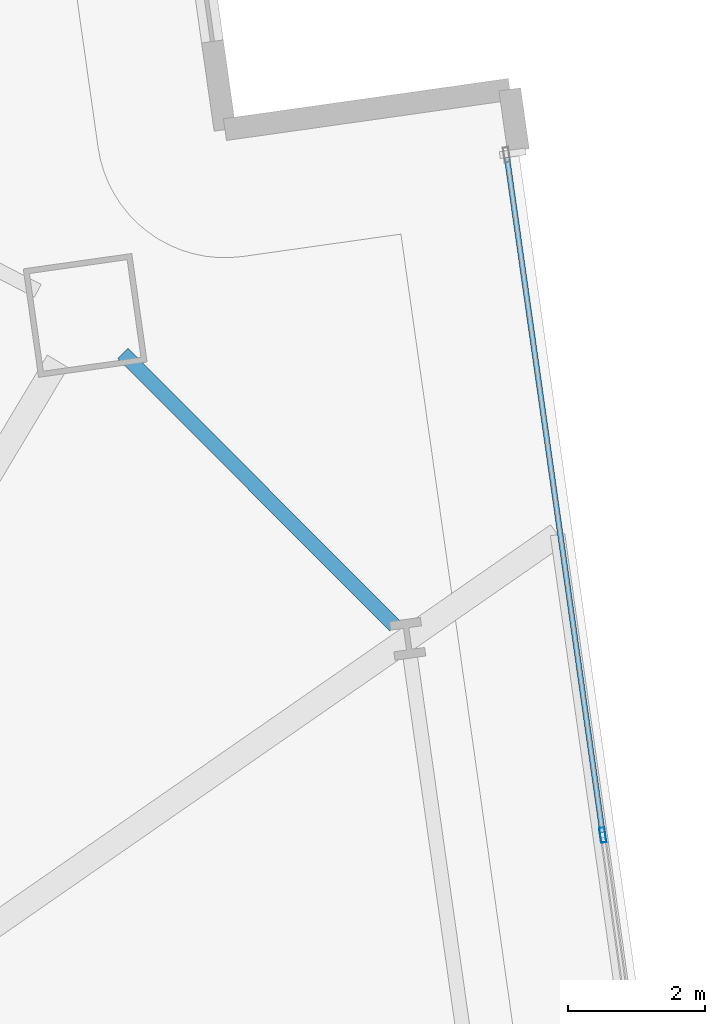
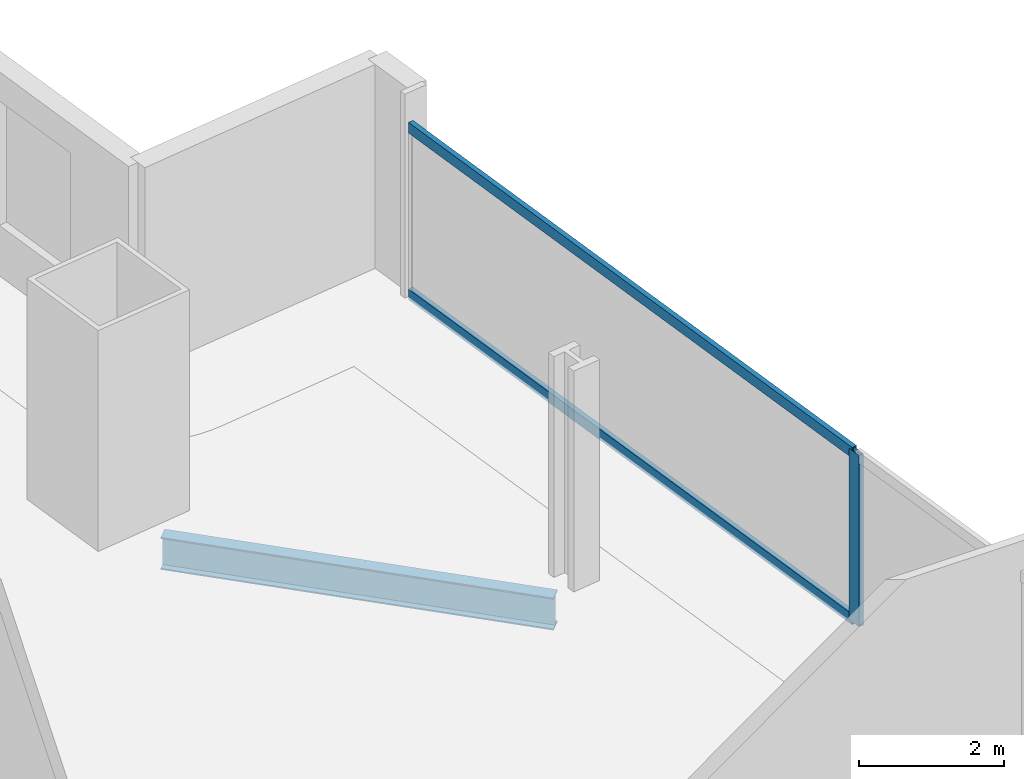
# One storey, part 21 of 33: 3 members, 1 beam, 1 element without a shape of its own.
"""IFC4 building model written with IfcOpenShell, lengths in metres."""

import ifcopenshell
import ifcopenshell.guid

model = None  # the IFC model being written
_history = None  # IfcOwnerHistory: only IFC2X3 demands one
_inside = {}  # id of a spatial element -> (the spatial element, [elements in it])
_under = {}  # id of a project, library or spatial element -> (it, [spatial elements below it])
_declared = {}  # id of a project -> (the project, [libraries it declares])
_typed = {}  # id of a type object -> (the type object, [elements of that type])
_made_of = {}  # id of a material, layer set ... -> (it, [elements and type objects made of it])


def new_model(schema):
    """Start an empty IFC model of exactly this schema.

    Asked for "IFC4X3", IfcOpenShell would pick the latest addendum, in which some entities
    have other attributes; the version numbers below select the first issue.
    IFC2X3 requires an IfcOwnerHistory on every rooted entity: one is made here for all.
    """
    global model, _history
    if schema == "IFC4X3":
        model = ifcopenshell.file(schema_version=(4, 3, 0, 0))
    else:
        model = ifcopenshell.file(schema=schema)
    _inside.clear()
    _under.clear()
    _declared.clear()
    _typed.clear()
    _made_of.clear()
    _history = None
    if model.schema == "IFC2X3":
        org = make("IfcOrganization", Name="unknown")
        user = make(
            "IfcPersonAndOrganization",
            ThePerson=make("IfcPerson", FamilyName="unknown"),
            TheOrganization=org,
        )
        app = make(
            "IfcApplication",
            ApplicationDeveloper=org,
            Version="unknown",
            ApplicationFullName="unknown",
            ApplicationIdentifier="unknown",
        )
        _history = make(
            "IfcOwnerHistory",
            OwningUser=user,
            OwningApplication=app,
            ChangeAction="ADDED",
            CreationDate=0,
        )
    return model


def make(cls, **values):
    """One entity of the class cls with the attributes given. An attribute that is None is left unset."""
    return model.create_entity(
        cls, **{name: value for name, value in values.items() if value is not None}
    )


def rooted(cls, **values):
    """An entity with a GlobalId (a new one), such as an element, a storey or a relation."""
    return make(cls, GlobalId=ifcopenshell.guid.new(), OwnerHistory=_history, **values)


def si_unit(unit_type, name, prefix=None):
    """IfcSIUnit, for example si_unit("LENGTHUNIT", "METRE", prefix="MILLI")."""
    return make("IfcSIUnit", UnitType=unit_type, Prefix=prefix, Name=name)


def assignment(units):
    """IfcUnitAssignment: the units of a project."""
    return None if units is None else make("IfcUnitAssignment", Units=units)


def point(xyz):
    """IfcCartesianPoint."""
    return None if xyz is None else make("IfcCartesianPoint", Coordinates=xyz)


def direction(xyz):
    """IfcDirection."""
    return None if xyz is None else make("IfcDirection", DirectionRatios=xyz)


def frame(location, z_axis=None, x_axis=None):
    """IfcAxis2Placement3D, a coordinate frame: its origin and axes. An axis left out is left unset."""
    return make(
        "IfcAxis2Placement3D",
        Location=point(location),
        Axis=direction(z_axis),
        RefDirection=direction(x_axis),
    )


def frame_2d(location, x_axis=None):
    """IfcAxis2Placement2D, a coordinate frame in the plane: its origin and x axis."""
    return make(
        "IfcAxis2Placement2D", Location=point(location), RefDirection=direction(x_axis)
    )


def origin():
    """The frame at (0, 0, 0) with its axes left unset."""
    return frame((0.0, 0.0, 0.0))


def origin_2d():
    """The frame at (0, 0) in the plane with its x axis left unset."""
    return frame_2d((0.0, 0.0))


def place(relative_to, where):
    """IfcLocalPlacement: puts the frame where relative to a parent placement (None: the world)."""
    return make(
        "IfcLocalPlacement", PlacementRelTo=relative_to, RelativePlacement=where
    )


def context(
    kind, dimensions, precision=None, world=None, true_north=None, identifier=None
):
    """IfcGeometricRepresentationContext, for example the 3D "Model" context."""
    return make(
        "IfcGeometricRepresentationContext",
        ContextIdentifier=identifier,
        ContextType=kind,
        CoordinateSpaceDimension=dimensions,
        Precision=precision,
        WorldCoordinateSystem=world,
        TrueNorth=true_north,
    )


def subcontext(parent, identifier, kind, view, scale=None):
    """IfcGeometricRepresentationSubContext, for example "Body" below "Model"."""
    return make(
        "IfcGeometricRepresentationSubContext",
        ContextIdentifier=identifier,
        ContextType=kind,
        ParentContext=parent,
        TargetScale=scale,
        TargetView=view,
    )


def project(units=None, contexts=None):
    """IfcProject with its units and contexts."""
    return rooted(
        "IfcProject",
        Name="project",
        RepresentationContexts=contexts,
        UnitsInContext=assignment(units),
    )


def spatial(cls, under=None, at=None, **own):
    """A site, building, storey or space (cls), placed at a placement, below another one or the project."""
    s = rooted(cls, ObjectPlacement=at, **own)
    if under is not None:
        _under.setdefault(under.id(), (under, []))[1].append(s)
    return s


def profile(cls, at=None, kind="AREA", **sizes):
    """A parametric profile (cls). Its sizes go by their IFC names, for example OverallWidth=200.0."""
    return make(cls, ProfileType=kind, Position=at, **sizes)


def hollow_rectangle(**sizes):
    """IfcRectangleHollowProfileDef."""
    return profile("IfcRectangleHollowProfileDef", **sizes)


def i_section(**sizes):
    """IfcIShapeProfileDef."""
    return profile("IfcIShapeProfileDef", **sizes)


def extrude(swept, where, along, depth):
    """IfcExtrudedAreaSolid: the profile swept, set in the frame where, extruded along a direction by depth."""
    return make(
        "IfcExtrudedAreaSolid",
        SweptArea=swept,
        Position=where,
        ExtrudedDirection=direction(along),
        Depth=depth,
    )


def shape(context_of_items, identifier, shape_type, items):
    """IfcShapeRepresentation: the items that make up one representation, for example the "Body"."""
    return make(
        "IfcShapeRepresentation",
        ContextOfItems=context_of_items,
        RepresentationIdentifier=identifier,
        RepresentationType=shape_type,
        Items=items,
    )


def material(Name=None, Category=None):
    """IfcMaterial."""
    return make("IfcMaterial", Name=Name, Category=Category)


def material_profile(
    of_material, cross_section, Name=None, Category=None, Priority=None
):
    """IfcMaterialProfile: a cross section and its material."""
    return make(
        "IfcMaterialProfile",
        Name=Name,
        Material=of_material,
        Profile=cross_section,
        Priority=Priority,
        Category=Category,
    )


def profile_set(profiles, Name=None, composite=None):
    """IfcMaterialProfileSet."""
    return make(
        "IfcMaterialProfileSet",
        Name=Name,
        MaterialProfiles=profiles,
        CompositeProfile=composite,
    )


def made_of(thing, what):
    """Note that an element or type object is made of a material, layer set ...; save() writes the relation."""
    if what is not None:
        _made_of.setdefault(what.id(), (what, []))[1].append(thing)
    return thing


def type_object(cls, material=None, **own):
    """A type object (cls), such as IfcWallType, which elements share."""
    return made_of(rooted(cls, **own), material)


def element(
    cls,
    number,
    at=None,
    inside=None,
    cuts=None,
    type_object=None,
    material=None,
    context=None,
    identifier="Body",
    shape_type=None,
    held_by="IfcProductDefinitionShape",
    body=None,
    shapes=None,
    **own,
):
    """One element of the class cls, such as IfcWall. Its Tag is "e" and its number.

    at: its placement. inside: the storey or other place that contains it. cuts: it is an
    opening in that element (IfcRelVoidsElement). A single representation is given by context,
    identifier, shape_type and body (its items); several are given by shapes. held_by: the class
    of the entity that holds the representations. save() writes the other relations.
    """
    e = rooted(cls, Tag="e%d" % number, ObjectPlacement=at, **own)
    if body is not None:
        shapes = [shape(context, identifier, shape_type, body)]
    if shapes is not None:
        e.Representation = make(held_by, Representations=shapes)
    if inside is not None:
        _inside.setdefault(inside.id(), (inside, []))[1].append(e)
    if cuts is not None:
        rooted(
            "IfcRelVoidsElement", RelatingBuildingElement=cuts, RelatedOpeningElement=e
        )
    if type_object is not None:
        _typed.setdefault(type_object.id(), (type_object, []))[1].append(e)
    return made_of(e, material)


def aggregate(whole, parts):
    """IfcRelAggregates: a whole, such as a stair, and the parts it consists of."""
    return rooted("IfcRelAggregates", RelatingObject=whole, RelatedObjects=parts)


def save(model, path):
    """Write the relations noted so far, then the file.

    IfcRelAggregates (storeys below a building ...), IfcRelContainedInSpatialStructure (elements
    in a storey), IfcRelDefinesByType, IfcRelAssociatesMaterial and IfcRelDeclares: one each for
    every whole, place, type object, material and project.
    """
    for whole, parts in _under.values():
        aggregate(whole, parts)
    for where, things in _inside.values():
        rooted(
            "IfcRelContainedInSpatialStructure",
            RelatedElements=things,
            RelatingStructure=where,
        )
    for kind, things in _typed.values():
        rooted("IfcRelDefinesByType", RelatedObjects=things, RelatingType=kind)
    for what, things in _made_of.values():
        rooted("IfcRelAssociatesMaterial", RelatedObjects=things, RelatingMaterial=what)
    for by, libraries in _declared.values():
        rooted("IfcRelDeclares", RelatingContext=by, RelatedDefinitions=libraries)
    model.write(path)


model = new_model("IFC4")

# Units and contexts
model_context = context("Model", 3, precision=1e-05, world=origin(), true_north=direction((0.0, 1.0)))
body_context = subcontext(model_context, "Body", "Model", "MODEL_VIEW")
ifc_project = project(units=[si_unit("LENGTHUNIT", "METRE"), si_unit("AREAUNIT", "SQUARE_METRE"), si_unit("VOLUMEUNIT", "CUBIC_METRE"), si_unit("PLANEANGLEUNIT", "RADIAN"), si_unit("MASSUNIT", "GRAM", prefix="KILO")], contexts=[model_context])

# Site, building, storey
site_placement = place(None, origin())
site = spatial("IfcSite", under=ifc_project, at=site_placement, CompositionType="ELEMENT")
building_placement = place(site_placement, origin())
building = spatial("IfcBuilding", under=site, at=building_placement, Name="Haldenkirk Collegiate Tower", CompositionType="ELEMENT")
storey_placement = place(building_placement, frame((0.0, 0.0, 55.199951171875)))
storey = spatial("IfcBuildingStorey", under=building, at=storey_placement, Name="L12", CompositionType="ELEMENT", Elevation=55.199951171875)

# Beam
ifc_material_1 = material(Name="Steel ASTM A992 Grade 50", Category="steel")
ifc_material_profile_1 = material_profile(ifc_material_1, i_section(OverallWidth=0.2119140625, OverallDepth=0.5439453125, WebThickness=0.01318359375, FlangeThickness=0.021240234375, at=origin_2d()), Name="W21X83")
ifc_profile_set_1 = profile_set([ifc_material_profile_1], Name="Steel ASTM A992 Grade 50")
beam_type = type_object("IfcBeamType", Name="BM-SPANDREL-W21X83", PredefinedType="SPANDREL", material=ifc_profile_set_1)
beam_placement = place(storey_placement, frame((57.70556640625, 43.135986328125, -0.58203125), z_axis=(-0.706085689957, 0.708126400043, 0.0), x_axis=(-0.708126400043, -0.706085689957, 0.0)))
element("IfcBeam", 1, at=beam_placement, inside=storey, type_object=beam_type, Name="L12 perimeter spandrel beam 08", PredefinedType="SPANDREL", context=body_context, shape_type="SweptSolid", body=[
    extrude(i_section(OverallWidth=0.2119140625, OverallDepth=0.5439453125, WebThickness=0.01318359375, FlangeThickness=0.021240234375, at=origin_2d()), origin(), (0.0, 0.0, 1.0), 5.622802734375),
])

# Curtain wall, members
ifc_material_2 = material(Name="Anodised architectural bronze aluminium", Category="aluminium")
curtain_wall_type = type_object("IfcCurtainWallType", Name="CW-SYS1-CONVEX-LOW", PredefinedType="USERDEFINED", material=ifc_material_2)
curtain_wall_placement = place(storey_placement, origin())
curtain_wall = element("IfcCurtainWall", 2, at=curtain_wall_placement, inside=storey, type_object=curtain_wall_type, Name="L12 Lower tower convex bronze-framed unitised curtain wall", ObjectType="UNITISED CURTAIN WALL", PredefinedType="USERDEFINED")
ifc_material_profile_2 = material_profile(ifc_material_2, hollow_rectangle(XDim=0.080078125, YDim=0.219970703125, WallThickness=0.0048828125, at=origin_2d()), Name="CW-MUL-1A")
ifc_profile_set_2 = profile_set([ifc_material_profile_2], Name="Anodised architectural bronze aluminium")
member_type_1 = type_object("IfcMemberType", Name="CW-MUL-1A", PredefinedType="MULLION", material=ifc_profile_set_2)
member_1_placement = place(storey_placement, frame((60.741455078125, 40.084716796875, 0.0), z_axis=(0.0, 0.0, 1.0), x_axis=(0.990145921918, 0.140039470541, 0.0)))
member_1 = element("IfcMember", 3, at=member_1_placement, type_object=member_type_1, Name="CW-1A mullion 2", PredefinedType="MULLION", context=body_context, shape_type="SweptSolid", body=[
    extrude(hollow_rectangle(XDim=0.080078125, YDim=0.219970703125, WallThickness=0.0048828125, at=origin_2d()), origin(), (0.0, 0.0, 1.0), 2.89111328125),
])
ifc_material_profile_3 = material_profile(ifc_material_2, hollow_rectangle(XDim=0.080078125, YDim=0.179931640625, WallThickness=0.0048828125, at=origin_2d()), Name="CW-TRN-1A")
ifc_profile_set_3 = profile_set([ifc_material_profile_3], Name="Anodised architectural bronze aluminium")
member_type_2 = type_object("IfcMemberType", Name="CW-TRN-1A", PredefinedType="USERDEFINED", material=ifc_profile_set_3)
member_2_placement = place(storey_placement, frame((59.342529296875, 49.97509765625, 0.0400390625), z_axis=(0.140047007186, -0.990144855957, 0.0), x_axis=(0.990144855957, 0.140047007186, 0.0)))
member_2 = element("IfcMember", 4, at=member_2_placement, type_object=member_type_2, Name="CW-1A transom 1.1", ObjectType="TRANSOM", PredefinedType="USERDEFINED", context=body_context, shape_type="SweptSolid", body=[
    extrude(hollow_rectangle(XDim=0.080078125, YDim=0.179931640625, WallThickness=0.0048828125, at=origin_2d()), origin(), (0.0, 0.0, 1.0), 9.948974609375),
])
member_3_placement = place(storey_placement, frame((59.342529296875, 49.97509765625, 2.85107421875), z_axis=(0.140047007186, -0.990144855957, 0.0), x_axis=(0.990144855957, 0.140047007186, 0.0)))
member_3 = element("IfcMember", 5, at=member_3_placement, type_object=member_type_2, Name="CW-1A transom 1.2", ObjectType="TRANSOM", PredefinedType="USERDEFINED", context=body_context, shape_type="SweptSolid", body=[
    extrude(hollow_rectangle(XDim=0.080078125, YDim=0.179931640625, WallThickness=0.0048828125, at=origin_2d()), origin(), (0.0, 0.0, 1.0), 9.948974609375),
])
aggregate(curtain_wall, [member_1, member_2, member_3])

save(model, "model.ifc")
